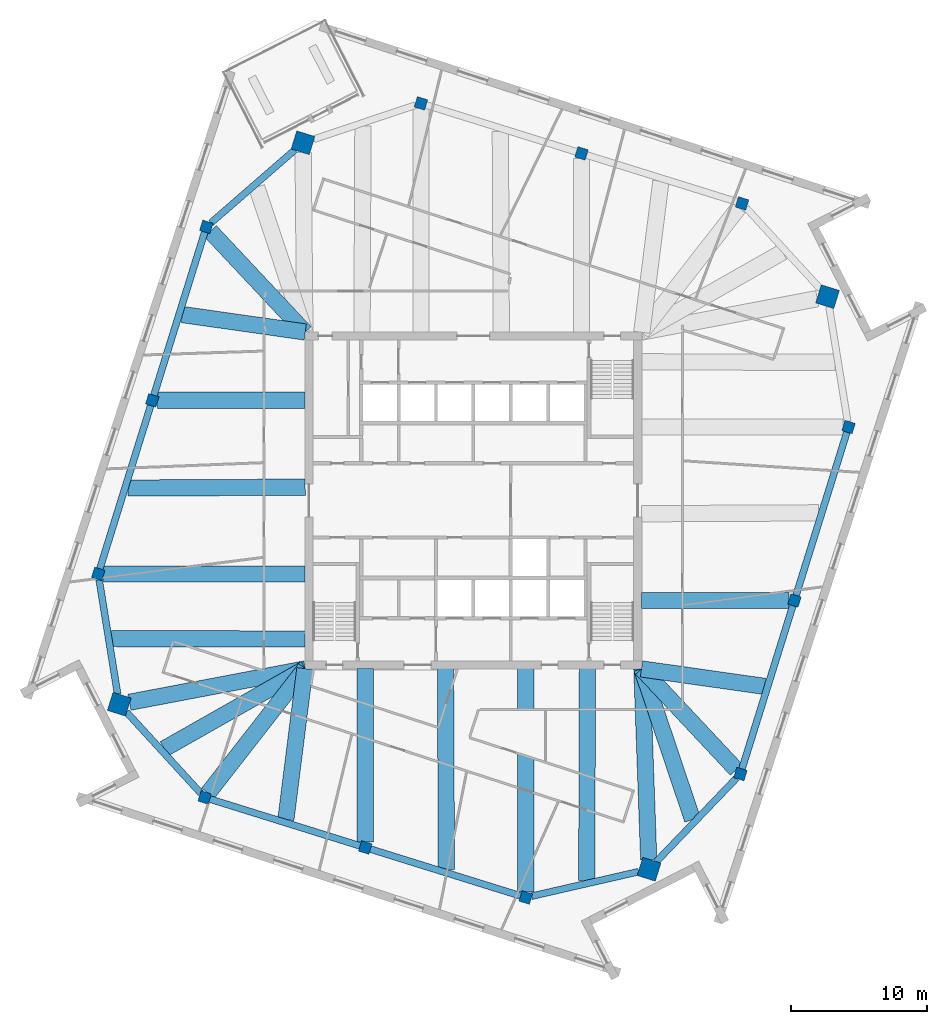
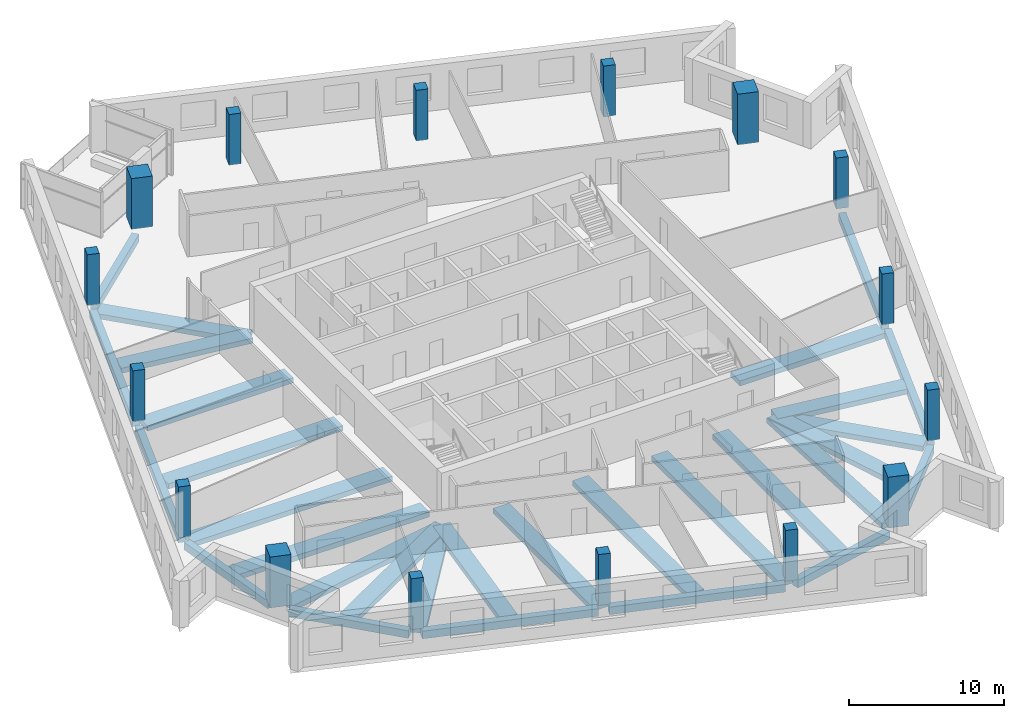
# One storey, part 1 of 13: 30 beams, 16 columns.
"""IFC4 building model written with IfcOpenShell, lengths in metres."""

from ifc_helpers import new_model, si_unit, direction, frame, origin, origin_2d, place, context, subcontext, project, spatial, rectangle, extrude, material, material_profile, profile_set, type_object, element, save


model = new_model("IFC4")

# Units and contexts
model_context = context("Model", 3, precision=1e-05, world=origin(), true_north=direction((0.0, 1.0)))
body_context = subcontext(model_context, "Body", "Model", "MODEL_VIEW")
ifc_project = project(units=[si_unit("LENGTHUNIT", "METRE"), si_unit("AREAUNIT", "SQUARE_METRE"), si_unit("VOLUMEUNIT", "CUBIC_METRE"), si_unit("PLANEANGLEUNIT", "RADIAN"), si_unit("MASSUNIT", "GRAM", prefix="KILO")], contexts=[model_context])

# Site, building, storey
site_placement = place(None, origin())
site = spatial("IfcSite", under=ifc_project, at=site_placement, CompositionType="ELEMENT")
building_placement = place(site_placement, origin())
building = spatial("IfcBuilding", under=site, at=building_placement, Name="Dilmun Exchange Tower", CompositionType="ELEMENT")
storey_placement = place(building_placement, frame((0.0, 0.0, 320.5)))
storey = spatial("IfcBuildingStorey", under=building, at=storey_placement, Name="L76", CompositionType="ELEMENT", Elevation=320.5)

# Columns
ifc_material_1 = material(Name="Concrete C50/60", Category="concrete")
ifc_material_profile_1 = material_profile(ifc_material_1, rectangle(XDim=1.39990234375, YDim=1.39990234375, at=origin_2d()), Name="1400 x 1400")
ifc_profile_set_1 = profile_set([ifc_material_profile_1], Name="Concrete C50/60")
column_type_1 = type_object("IfcColumnType", Name="RC mega column 1400 x 1400 C50/60", PredefinedType="COLUMN", material=ifc_profile_set_1)
for number, where, z_axis, x_axis, name in (
    (1, (-12.537109375, 26.322021484375, 0.0), (0.0, 0.0, 1.0), (0.297503182032, 0.954720826567, 0.0), "Mega column M1"),
    (2, (-26.06005859375, -14.9951171875, 0.0), (0.0, 0.0, 1.0), (0.297503182032, 0.954720826567, 0.0), "Mega column M2"),
    (3, (12.928955078125, -27.14404296875, 0.0), (0.0, 0.0, 1.0), (0.297503182032, 0.954720826567, 0.0), "Mega column M3"),
    (4, (26.06005859375, 14.9951171875, 0.0), (0.0, 0.0, 1.0), (0.297503182032, 0.954720826567, 0.0), "Mega column M4"),
):
    element("IfcColumn", number, at=place(storey_placement, frame(where, z_axis=z_axis, x_axis=x_axis)), inside=storey, type_object=column_type_1, Name=name, PredefinedType="COLUMN", context=body_context, shape_type="SweptSolid", body=[
        extrude(rectangle(XDim=1.39990234375, YDim=1.39990234375, at=origin_2d()), origin(), (0.0, 0.0, 1.0), 4.0),
    ])
ifc_material_profile_2 = material_profile(ifc_material_1, rectangle(XDim=0.800048828125, YDim=0.800048828125, at=origin_2d()), Name="800 x 800")
ifc_profile_set_2 = profile_set([ifc_material_profile_2], Name="Concrete C50/60")
column_type_2 = type_object("IfcColumnType", Name="RC ring column 800 x 800 C50/60", PredefinedType="COLUMN", material=ifc_profile_set_2)
for number, where, z_axis, x_axis, name in (
    (5, (-19.64990234375, 20.133056640625, 0.0), (0.0, 0.0, 1.0), (0.297503182032, 0.954720826567, 0.0), "Ring column R01"),
    (6, (-23.62890625, 7.363037109375, 0.0), (0.0, 0.0, 1.0), (0.297503182032, 0.954720826567, 0.0), "Ring column R02"),
    (7, (-27.60791015625, -5.406005859375, 0.0), (0.0, 0.0, 1.0), (0.297503182032, 0.954720826567, 0.0), "Ring column R03"),
    (8, (-19.77294921875, -21.85693359375, 0.0), (0.0, 0.0, 1.0), (0.297503182032, 0.954720826567, 0.0), "Ring column R04"),
    (9, (-7.9580078125, -25.5390625, 0.0), (0.0, 0.0, 1.0), (0.297503182032, 0.954720826567, 0.0), "Ring column R05"),
    (10, (3.85595703125, -29.219970703125, 0.0), (0.0, 0.0, 1.0), (0.297503182032, 0.954720826567, 0.0), "Ring column R06"),
    (11, (19.64990234375, -20.133056640625, 0.0), (0.0, 0.0, 1.0), (0.297503182032, 0.954720826567, 0.0), "Ring column R07"),
    (12, (23.62890625, -7.363037109375, 0.0), (0.0, 0.0, 1.0), (0.297503182032, 0.954720826567, 0.0), "Ring column R08"),
    (13, (27.60791015625, 5.406005859375, 0.0), (0.0, 0.0, 1.0), (0.297503182032, 0.954720826567, 0.0), "Ring column R09"),
    (14, (19.77294921875, 21.85693359375, 0.0), (0.0, 0.0, 1.0), (0.297503182032, 0.954720826567, 0.0), "Ring column R10"),
    (15, (7.9580078125, 25.5390625, 0.0), (0.0, 0.0, 1.0), (0.297503182032, 0.954720826567, 0.0), "Ring column R11"),
    (16, (-3.85595703125, 29.219970703125, 0.0), (0.0, 0.0, 1.0), (0.297503182032, 0.954720826567, 0.0), "Ring column R12"),
):
    element("IfcColumn", number, at=place(storey_placement, frame(where, z_axis=z_axis, x_axis=x_axis)), inside=storey, type_object=column_type_2, Name=name, PredefinedType="COLUMN", context=body_context, shape_type="SweptSolid", body=[
        extrude(rectangle(XDim=0.800048828125, YDim=0.800048828125, at=origin_2d()), origin(), (0.0, 0.0, 1.0), 4.0),
    ])

# Beams
ifc_material_2 = material(Name="Concrete C40/50", Category="concrete")
ifc_material_profile_3 = material_profile(ifc_material_2, rectangle(XDim=1.199951171875, YDim=0.39990234375, at=origin_2d()), Name="1200 x 400")
ifc_profile_set_3 = profile_set([ifc_material_profile_3], Name="Concrete C40/50")
beam_type_1 = type_object("IfcBeamType", Name="RC band beam 1200 x 400 C40/50", PredefinedType="BEAM", material=ifc_profile_set_3)
beam_1_placement = place(storey_placement, frame((-19.35400390625, 19.8173828125, -0.64990234375), z_axis=(0.683952281649, -0.729526748261, 0.0), x_axis=(0.729526748261, 0.683952281649, 0.0)))
element("IfcBeam", 17, at=beam_1_placement, inside=storey, type_object=beam_type_1, Name="Band beam 2", PredefinedType="BEAM", context=body_context, shape_type="SweptSolid", body=[
    extrude(rectangle(XDim=1.199951171875, YDim=0.39990234375, at=origin_2d()), origin(), (0.0, 0.0, 1.0), 10.1943359375),
])
beam_2_placement = place(storey_placement, frame((-23.237060546875, 7.363037109375, -0.64990234375), z_axis=(1.0, 0.0, 0.0), x_axis=(0.0, 1.0, 0.0)))
element("IfcBeam", 18, at=beam_2_placement, inside=storey, type_object=beam_type_1, Name="Band beam 3", PredefinedType="BEAM", context=body_context, shape_type="SweptSolid", body=[
    extrude(rectangle(XDim=1.199951171875, YDim=0.39990234375, at=origin_2d()), origin(), (0.0, 0.0, 1.0), 10.864013671875),
])
beam_3_placement = place(storey_placement, frame((-27.216064453125, -5.406005859375, -0.64990234375), z_axis=(1.0, 0.0, 0.0), x_axis=(0.0, 1.0, 0.0)))
element("IfcBeam", 19, at=beam_3_placement, inside=storey, type_object=beam_type_1, Name="Band beam 4", PredefinedType="BEAM", context=body_context, shape_type="SweptSolid", body=[
    extrude(rectangle(XDim=1.199951171875, YDim=0.39990234375, at=origin_2d()), origin(), (0.0, 0.0, 1.0), 14.843017578125),
])
beam_4_placement = place(storey_placement, frame((-25.30712890625, -14.85205078125, -0.64990234375), z_axis=(0.982429348436, 0.18663487169, 0.0), x_axis=(-0.18663487169, 0.982429348436, 0.0)))
element("IfcBeam", 20, at=beam_4_placement, inside=storey, type_object=beam_type_1, Name="Band beam 5", PredefinedType="BEAM", context=body_context, shape_type="SweptSolid", body=[
    extrude(rectangle(XDim=1.199951171875, YDim=0.39990234375, at=origin_2d()), origin(), (0.0, 0.0, 1.0), 13.164794921875),
])
beam_5_placement = place(storey_placement, frame((-19.52685546875, -21.541259765625, -0.64990234375), z_axis=(0.614856714099, 0.788638840743, 0.0), x_axis=(-0.788638840743, 0.614856714099, 0.0)))
element("IfcBeam", 21, at=beam_5_placement, inside=storey, type_object=beam_type_1, Name="Band beam 6", PredefinedType="BEAM", context=body_context, shape_type="SweptSolid", body=[
    extrude(rectangle(XDim=1.199951171875, YDim=0.39990234375, at=origin_2d()), origin(), (0.0, 0.0, 1.0), 11.6181640625),
])
beam_6_placement = place(storey_placement, frame((-7.9580078125, -25.14697265625, -0.64990234375), z_axis=(0.0, 1.0, 0.0), x_axis=(-1.0, 0.0, 0.0)))
element("IfcBeam", 22, at=beam_6_placement, inside=storey, type_object=beam_type_1, Name="Band beam 7", PredefinedType="BEAM", context=body_context, shape_type="SweptSolid", body=[
    extrude(rectangle(XDim=1.199951171875, YDim=0.39990234375, at=origin_2d()), origin(), (0.0, 0.0, 1.0), 12.77392578125),
])
beam_7_placement = place(storey_placement, frame((3.85595703125, -28.827880859375, -0.64990234375), z_axis=(0.0, 1.0, 0.0), x_axis=(-1.0, 0.0, 0.0)))
element("IfcBeam", 23, at=beam_7_placement, inside=storey, type_object=beam_type_1, Name="Band beam 8", PredefinedType="BEAM", context=body_context, shape_type="SweptSolid", body=[
    extrude(rectangle(XDim=1.199951171875, YDim=0.39990234375, at=origin_2d()), origin(), (0.0, 0.0, 1.0), 16.454833984375),
])
beam_8_placement = place(storey_placement, frame((12.9033203125, -26.429443359375, -0.64990234375), z_axis=(-0.035860549827, 0.999356803632, 0.0), x_axis=(-0.999356803632, -0.035860549827, 0.0)))
element("IfcBeam", 24, at=beam_8_placement, inside=storey, type_object=beam_type_1, Name="Band beam 9", PredefinedType="BEAM", context=body_context, shape_type="SweptSolid", body=[
    extrude(rectangle(XDim=1.199951171875, YDim=0.39990234375, at=origin_2d()), origin(), (0.0, 0.0, 1.0), 14.0654296875),
])
beam_9_placement = place(storey_placement, frame((19.35400390625, -19.8173828125, -0.64990234375), z_axis=(-0.683952281649, 0.729526748261, 0.0), x_axis=(-0.729526748261, -0.683952281649, 0.0)))
element("IfcBeam", 25, at=beam_9_placement, inside=storey, type_object=beam_type_1, Name="Band beam 10", PredefinedType="BEAM", context=body_context, shape_type="SweptSolid", body=[
    extrude(rectangle(XDim=1.199951171875, YDim=0.39990234375, at=origin_2d()), origin(), (0.0, 0.0, 1.0), 10.1943359375),
])
beam_10_placement = place(storey_placement, frame((23.237060546875, -7.363037109375, -0.64990234375), z_axis=(-1.0, 0.0, 0.0), x_axis=(0.0, -1.0, 0.0)))
element("IfcBeam", 26, at=beam_10_placement, inside=storey, type_object=beam_type_1, Name="Band beam 11", PredefinedType="BEAM", context=body_context, shape_type="SweptSolid", body=[
    extrude(rectangle(XDim=1.199951171875, YDim=0.39990234375, at=origin_2d()), origin(), (0.0, 0.0, 1.0), 10.864013671875),
])
beam_11_placement = place(storey_placement, frame((-21.426513671875, 13.681640625, -0.550048828125), z_axis=(0.990066629404, -0.140598966357, 0.0), x_axis=(0.140598966357, 0.990066629404, 0.0)))
element("IfcBeam", 27, at=beam_11_placement, inside=storey, type_object=beam_type_1, Name="Band beam 18", PredefinedType="BEAM", context=body_context, shape_type="SweptSolid", body=[
    extrude(rectangle(XDim=1.199951171875, YDim=0.39990234375, at=origin_2d()), origin(), (0.0, 0.0, 1.0), 9.14404296875),
])
beam_12_placement = place(storey_placement, frame((-25.405517578125, 0.912109375, -0.550048828125), z_axis=(0.999987018468, 0.005095379798, 0.0), x_axis=(-0.005095379798, 0.999987018468, 0.0)))
element("IfcBeam", 28, at=beam_12_placement, inside=storey, type_object=beam_type_1, Name="Band beam 19", PredefinedType="BEAM", context=body_context, shape_type="SweptSolid", body=[
    extrude(rectangle(XDim=1.199951171875, YDim=0.39990234375, at=origin_2d()), origin(), (0.0, 0.0, 1.0), 13.03271484375),
])
beam_13_placement = place(storey_placement, frame((-26.614013671875, -10.1650390625, -0.550048828125), z_axis=(0.999996910379, -0.002485806038, 0.0), x_axis=(0.002485806038, 0.999996910379, 0.0)))
element("IfcBeam", 29, at=beam_13_placement, inside=storey, type_object=beam_type_1, Name="Band beam 20", PredefinedType="BEAM", context=body_context, shape_type="SweptSolid", body=[
    extrude(rectangle(XDim=1.199951171875, YDim=0.39990234375, at=origin_2d()), origin(), (0.0, 0.0, 1.0), 14.240966796875),
])
beam_14_placement = place(storey_placement, frame((-22.752197265625, -18.275390625, -0.550048828125), z_axis=(0.869690188955, 0.493597989496, 0.0), x_axis=(-0.493597989496, 0.869690188955, 0.0)))
element("IfcBeam", 30, at=beam_14_placement, inside=storey, type_object=beam_type_1, Name="Band beam 21", PredefinedType="BEAM", context=body_context, shape_type="SweptSolid", body=[
    extrude(rectangle(XDim=1.199951171875, YDim=0.39990234375, at=origin_2d()), origin(), (0.0, 0.0, 1.0), 11.93017578125),
])
beam_15_placement = place(storey_placement, frame((-13.79931640625, -23.485107421875, -0.550048828125), z_axis=(0.125252659456, 0.992124876867, 0.0), x_axis=(-0.992124876867, 0.125252659456, 0.0)))
element("IfcBeam", 31, at=beam_15_placement, inside=storey, type_object=beam_type_1, Name="Band beam 22", PredefinedType="BEAM", context=body_context, shape_type="SweptSolid", body=[
    extrude(rectangle(XDim=1.199951171875, YDim=0.39990234375, at=origin_2d()), origin(), (0.0, 0.0, 1.0), 11.199951171875),
])
beam_16_placement = place(storey_placement, frame((-1.984619140625, -27.16650390625, -0.550048828125), z_axis=(-0.004488848064, 0.999989925071, 0.0), x_axis=(-0.999989925071, -0.004488848064, 0.0)))
element("IfcBeam", 32, at=beam_16_placement, inside=storey, type_object=beam_type_1, Name="Band beam 23", PredefinedType="BEAM", context=body_context, shape_type="SweptSolid", body=[
    extrude(rectangle(XDim=1.199951171875, YDim=0.39990234375, at=origin_2d()), origin(), (0.0, 0.0, 1.0), 14.793701171875),
])
beam_17_placement = place(storey_placement, frame((8.3427734375, -27.964599609375, -0.550048828125), z_axis=(0.003194321582, 0.999994898142, 0.0), x_axis=(-0.999994898142, 0.003194321582, 0.0)))
element("IfcBeam", 33, at=beam_17_placement, inside=storey, type_object=beam_type_1, Name="Band beam 24", PredefinedType="BEAM", context=body_context, shape_type="SweptSolid", body=[
    extrude(rectangle(XDim=1.199951171875, YDim=0.39990234375, at=origin_2d()), origin(), (0.0, 0.0, 1.0), 15.591552734375),
])
beam_18_placement = place(storey_placement, frame((16.12841796875, -23.484130859375, -0.550048828125), z_axis=(-0.318844720982, 0.947806965527, 0.0), x_axis=(-0.947806965527, -0.318844720982, 0.0)))
element("IfcBeam", 34, at=beam_18_placement, inside=storey, type_object=beam_type_1, Name="Band beam 25", PredefinedType="BEAM", context=body_context, shape_type="SweptSolid", body=[
    extrude(rectangle(XDim=1.199951171875, YDim=0.39990234375, at=origin_2d()), origin(), (0.0, 0.0, 1.0), 11.721435546875),
])
beam_19_placement = place(storey_placement, frame((21.426513671875, -13.681640625, -0.550048828125), z_axis=(-0.990066629404, 0.140598966357, 0.0), x_axis=(-0.140598966357, -0.990066629404, 0.0)))
element("IfcBeam", 35, at=beam_19_placement, inside=storey, type_object=beam_type_1, Name="Band beam 26", PredefinedType="BEAM", context=body_context, shape_type="SweptSolid", body=[
    extrude(rectangle(XDim=1.199951171875, YDim=0.39990234375, at=origin_2d()), origin(), (0.0, 0.0, 1.0), 9.14404296875),
])
ifc_material_profile_4 = material_profile(ifc_material_2, rectangle(XDim=0.5, YDim=0.60009765625, at=origin_2d()), Name="500 x 600")
ifc_profile_set_4 = profile_set([ifc_material_profile_4], Name="Concrete C40/50")
beam_type_2 = type_object("IfcBeamType", Name="RC ring beam 500 x 600 C40/50", PredefinedType="SPANDREL", material=ifc_profile_set_4)
beam_20_placement = place(storey_placement, frame((-13.13720703125, 25.7998046875, -0.64990234375), z_axis=(-0.754412964807, -0.656400090289, 0.0), x_axis=(0.656400090289, -0.754412964807, 0.0)))
element("IfcBeam", 36, at=beam_20_placement, inside=storey, type_object=beam_type_2, Name="Ring beam 1", PredefinedType="SPANDREL", context=body_context, shape_type="SweptSolid", body=[
    extrude(rectangle(XDim=0.5, YDim=0.60009765625, at=origin_2d()), origin(), (0.0, 0.0, 1.0), 8.190185546875),
])
beam_21_placement = place(storey_placement, frame((-19.760986328125, 19.77685546875, -0.64990234375), z_axis=(-0.297481296371, -0.954727646143, 0.0), x_axis=(0.954727646143, -0.297481296371, 0.0)))
element("IfcBeam", 37, at=beam_21_placement, inside=storey, type_object=beam_type_2, Name="Ring beam 2", PredefinedType="SPANDREL", context=body_context, shape_type="SweptSolid", body=[
    extrude(rectangle(XDim=0.5, YDim=0.60009765625, at=origin_2d()), origin(), (0.0, 0.0, 1.0), 12.629638671875),
])
beam_22_placement = place(storey_placement, frame((-23.739990234375, 7.0068359375, -0.64990234375), z_axis=(-0.297508749799, -0.954719091562, 0.0), x_axis=(0.954719091562, -0.297508749799, 0.0)))
element("IfcBeam", 38, at=beam_22_placement, inside=storey, type_object=beam_type_2, Name="Ring beam 3", PredefinedType="SPANDREL", context=body_context, shape_type="SweptSolid", body=[
    extrude(rectangle(XDim=0.5, YDim=0.60009765625, at=origin_2d()), origin(), (0.0, 0.0, 1.0), 12.62841796875),
])
beam_23_placement = place(storey_placement, frame((-27.541015625, -5.820556640625, -0.64990234375), z_axis=(0.159356501233, -0.987221102649, 0.0), x_axis=(0.987221102649, 0.159356501233, 0.0)))
element("IfcBeam", 39, at=beam_23_placement, inside=storey, type_object=beam_type_2, Name="Ring beam 4", PredefinedType="SPANDREL", context=body_context, shape_type="SweptSolid", body=[
    extrude(rectangle(XDim=0.5, YDim=0.60009765625, at=origin_2d()), origin(), (0.0, 0.0, 1.0), 8.5380859375),
])
beam_24_placement = place(storey_placement, frame((-25.531005859375, -15.572265625, -0.64990234375), z_axis=(0.675535971399, -0.737327031476, 0.0), x_axis=(0.737327031476, 0.675535971399, 0.0)))
element("IfcBeam", 40, at=beam_24_placement, inside=storey, type_object=beam_type_2, Name="Ring beam 5", PredefinedType="SPANDREL", context=body_context, shape_type="SweptSolid", body=[
    extrude(rectangle(XDim=0.5, YDim=0.60009765625, at=origin_2d()), origin(), (0.0, 0.0, 1.0), 8.087890625),
])
beam_25_placement = place(storey_placement, frame((-19.4169921875, -21.968017578125, -0.64990234375), z_axis=(0.95471613385, -0.297518241065, 0.0), x_axis=(0.297518241065, 0.95471613385, 0.0)))
element("IfcBeam", 41, at=beam_25_placement, inside=storey, type_object=beam_type_2, Name="Ring beam 6", PredefinedType="SPANDREL", context=body_context, shape_type="SweptSolid", body=[
    extrude(rectangle(XDim=0.5, YDim=0.60009765625, at=origin_2d()), origin(), (0.0, 0.0, 1.0), 11.62939453125),
])
beam_26_placement = place(storey_placement, frame((-7.601806640625, -25.64990234375, -0.64990234375), z_axis=(0.954732553331, -0.297465546931, 0.0), x_axis=(0.297465546931, 0.954732553331, 0.0)))
element("IfcBeam", 42, at=beam_26_placement, inside=storey, type_object=beam_type_2, Name="Ring beam 7", PredefinedType="SPANDREL", context=body_context, shape_type="SweptSolid", body=[
    extrude(rectangle(XDim=0.5, YDim=0.60009765625, at=origin_2d()), origin(), (0.0, 0.0, 1.0), 11.628173828125),
])
beam_27_placement = place(storey_placement, frame((4.28076171875, -29.122802734375, -0.64990234375), z_axis=(0.974807153913, 0.223049350324, 0.0), x_axis=(-0.223049350324, 0.974807153913, 0.0)))
element("IfcBeam", 43, at=beam_27_placement, inside=storey, type_object=beam_type_2, Name="Ring beam 8", PredefinedType="SPANDREL", context=body_context, shape_type="SweptSolid", body=[
    extrude(rectangle(XDim=0.5, YDim=0.60009765625, at=origin_2d()), origin(), (0.0, 0.0, 1.0), 8.0888671875),
])
beam_28_placement = place(storey_placement, frame((13.451416015625, -26.598876953125, -0.64990234375), z_axis=(0.692021502551, 0.721876887016, 0.0), x_axis=(-0.721876887016, 0.692021502551, 0.0)))
element("IfcBeam", 44, at=beam_28_placement, inside=storey, type_object=beam_type_2, Name="Ring beam 9", PredefinedType="SPANDREL", context=body_context, shape_type="SweptSolid", body=[
    extrude(rectangle(XDim=0.5, YDim=0.60009765625, at=origin_2d()), origin(), (0.0, 0.0, 1.0), 8.537353515625),
])
beam_29_placement = place(storey_placement, frame((19.760986328125, -19.77685546875, -0.64990234375), z_axis=(0.297481296371, 0.954727646143, 0.0), x_axis=(-0.954727646143, 0.297481296371, 0.0)))
element("IfcBeam", 45, at=beam_29_placement, inside=storey, type_object=beam_type_2, Name="Ring beam 10", PredefinedType="SPANDREL", context=body_context, shape_type="SweptSolid", body=[
    extrude(rectangle(XDim=0.5, YDim=0.60009765625, at=origin_2d()), origin(), (0.0, 0.0, 1.0), 12.629638671875),
])
beam_30_placement = place(storey_placement, frame((23.739990234375, -7.0068359375, -0.64990234375), z_axis=(0.297508749799, 0.954719091562, 0.0), x_axis=(-0.954719091562, 0.297508749799, 0.0)))
element("IfcBeam", 46, at=beam_30_placement, inside=storey, type_object=beam_type_2, Name="Ring beam 11", PredefinedType="SPANDREL", context=body_context, shape_type="SweptSolid", body=[
    extrude(rectangle(XDim=0.5, YDim=0.60009765625, at=origin_2d()), origin(), (0.0, 0.0, 1.0), 12.62841796875),
])

save(model, "model.ifc")
